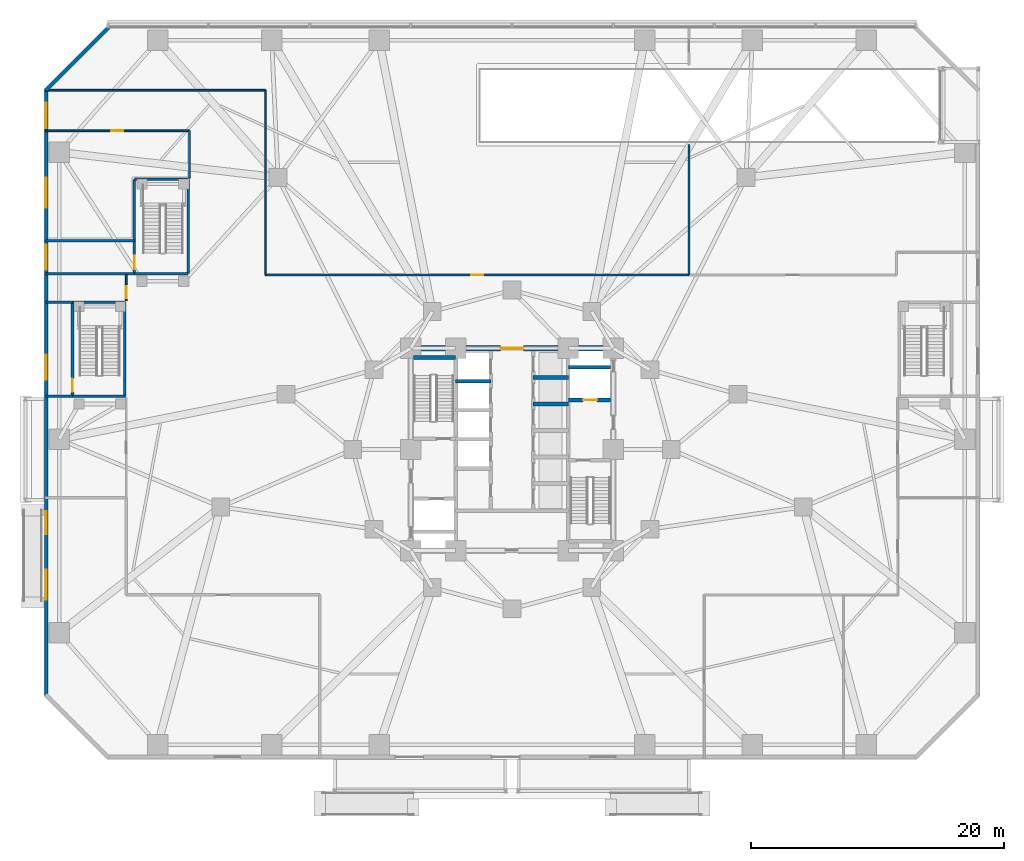
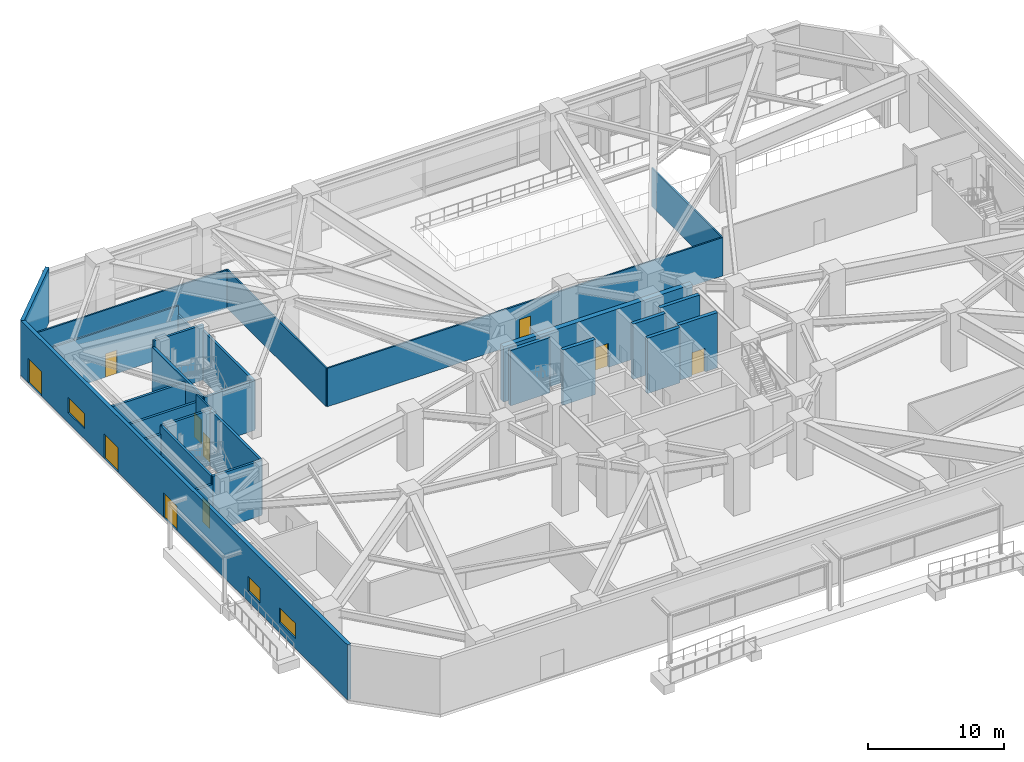
# One storey, part 19 of 30: 28 walls, 10 doors, 3 windows, 13 openings.
"""IFC4 building model written with IfcOpenShell, lengths in metres."""

from ifc_helpers import new_model, si_unit, direction, frame, frame_2d, origin, place, context, subcontext, project, spatial, rectangle, extrude, material, layer, layer_set, type_object, element, fill, save


model = new_model("IFC4")

# Units and contexts
model_context = context("Model", 3, precision=1e-05, world=origin(), true_north=direction((0.0, 1.0)))
body_context = subcontext(model_context, "Body", "Model", "MODEL_VIEW")
ifc_project = project(units=[si_unit("LENGTHUNIT", "METRE"), si_unit("AREAUNIT", "SQUARE_METRE"), si_unit("VOLUMEUNIT", "CUBIC_METRE"), si_unit("PLANEANGLEUNIT", "RADIAN"), si_unit("MASSUNIT", "GRAM", prefix="KILO")], contexts=[model_context])

# Site, building, storey
site_placement = place(None, origin())
site = spatial("IfcSite", under=ifc_project, at=site_placement, CompositionType="ELEMENT")
building_placement = place(site_placement, origin())
building = spatial("IfcBuilding", under=site, at=building_placement, Name="Terralouvre Media Tower", CompositionType="ELEMENT")
storey_placement = place(building_placement, origin())
storey = spatial("IfcBuildingStorey", under=building, at=storey_placement, Name="L00", CompositionType="ELEMENT", Elevation=0.0)

# Wall
ifc_material_1 = material(Name="Concrete C50/60", Category="concrete")
ifc_layer_1 = layer(ifc_material_1, 0.300048828125, Name="Core Internal Shaft Wall CW-300")
ifc_layer_set_1 = layer_set([ifc_layer_1], Name="Concrete C50/60")
wall_type_1 = type_object("IfcWallType", Name="Core Internal Shaft Wall CW-300", PredefinedType="SHEAR", material=ifc_layer_set_1)
wall_1_placement = place(storey_placement, frame((-7.7900390625, 7.260009765625, 0.0), z_axis=(0.0, 0.0, 1.0), x_axis=(1.0, 0.0, 0.0)))
element("IfcWall", 1, at=wall_1_placement, inside=storey, type_object=wall_type_1, Name="L00 Core Shaft Wall ST1F", PredefinedType="SHEAR", context=body_context, shape_type="SweptSolid", body=[
    extrude(rectangle(XDim=3.340087890625, YDim=0.300048828125, at=frame_2d((1.669921875, 0.0))), origin(), (0.0, 0.0, 1.0), 4.949951171875),
])

# Wall, opening, door
wall_2_placement = place(storey_placement, frame((4.449951171875, 3.89990234375, 0.0), z_axis=(0.0, 0.0, 1.0), x_axis=(1.0, 0.0, 0.0)))
wall_2 = element("IfcWall", 2, at=wall_2_placement, inside=storey, type_object=wall_type_1, Name="L00 Core Shaft Wall FF2S", PredefinedType="SHEAR", context=body_context, shape_type="SweptSolid", body=[
    extrude(rectangle(XDim=3.340087890625, YDim=0.300048828125, at=frame_2d((1.669921875, 0.0))), origin(), (0.0, 0.0, 1.0), 4.949951171875),
])
opening_1_placement = place(wall_2_placement, frame((1.179931640625, 0.0, 0.0)))
opening_1 = element("IfcOpeningElement", 3, at=opening_1_placement, cuts=wall_2, Name="Opening LD-FF", PredefinedType="OPENING", context=body_context, shape_type="SweptSolid", body=[
    extrude(rectangle(XDim=1.10009765625, YDim=2.10009765625, at=frame_2d((0.550048828125, 1.050048828125))), frame((0.0, 0.159912109375, 0.0), z_axis=(0.0, -1.0, 0.0), x_axis=(1.0, 0.0, 0.0)), (0.0, 0.0, 1.0), 0.320068359375),
])
ifc_material_2 = material(Name="Stainless steel 316 handrail and balustrade", Category="steel")
door_type_1 = type_object("IfcDoorType", Name="Firefighting Lift Sliding Landing Door LD-FF", OperationType="SLIDING_TO_LEFT", PredefinedType="DOOR", material=ifc_material_2)
door_1_placement = place(opening_1_placement, origin())
door_1 = element("IfcDoor", 4, at=door_1_placement, inside=storey, type_object=door_type_1, Name="L00 Firefighting Lift FFL-02 Landing Door", OperationType="SLIDING_TO_LEFT", OverallHeight=2.10009765625, OverallWidth=1.10009765625, PredefinedType="DOOR", context=body_context, shape_type="SweptSolid", body=[
    extrude(rectangle(XDim=1.10009765625, YDim=2.10009765625, at=frame_2d((0.550048828125, 1.050048828125))), frame((0.0, 0.02490234375, 0.0), z_axis=(0.0, -1.0, 0.0), x_axis=(1.0, 0.0, 0.0)), (0.0, 0.0, 1.0), 0.050048828125),
])
fill(opening_1, door_1)

# Walls
wall_3_placement = place(storey_placement, frame((4.449951171875, 6.5, 0.0), z_axis=(0.0, 0.0, 1.0), x_axis=(1.0, 0.0, 0.0)))
element("IfcWall", 5, at=wall_3_placement, inside=storey, type_object=wall_type_1, Name="L00 Core Shaft Wall FF2N", PredefinedType="SHEAR", context=body_context, shape_type="SweptSolid", body=[
    extrude(rectangle(XDim=3.340087890625, YDim=0.300048828125, at=frame_2d((1.669921875, 0.0))), origin(), (0.0, 0.0, 1.0), 4.949951171875),
])
for number, where, z_axis, x_axis, name in (
    (6, (-4.449951171875, 5.39990234375, 0.0), (0.0, 0.0, 1.0), (1.0, 0.0, 0.0), "L00 Core Shaft Wall PLLD3"),
    (7, (1.679931640625, 3.60009765625, 0.0), (0.0, 0.0, 1.0), (1.0, 0.0, 0.0), "L00 Core Shaft Wall PLMD1"),
    (8, (1.679931640625, 5.699951171875, 0.0), (0.0, 0.0, 1.0), (1.0, 0.0, 0.0), "L00 Core Shaft Wall PLMD2"),
):
    element("IfcWall", number, at=place(storey_placement, frame(where, z_axis=z_axis, x_axis=x_axis)), inside=storey, type_object=wall_type_1, Name=name, PredefinedType="SHEAR", context=body_context, shape_type="SweptSolid", body=[
        extrude(rectangle(XDim=2.77001953125, YDim=0.300048828125, at=frame_2d((1.385009765625, 0.0))), origin(), (0.0, 0.0, 1.0), 4.949951171875),
    ])

# Wall, opening, door
ifc_material_3 = material(Name="Concrete C60/75", Category="concrete")
ifc_layer_2 = layer(ifc_material_3, 0.419921875, Name="Core Reinforced Concrete Shear Wall CW-420")
ifc_layer_set_2 = layer_set([ifc_layer_2], Name="Concrete C60/75")
wall_type_2 = type_object("IfcWallType", Name="Core Reinforced Concrete Shear Wall CW-420", PredefinedType="SHEAR", material=ifc_layer_set_2)
wall_4_placement = place(storey_placement, frame((-8.0, 8.0, 0.0), z_axis=(0.0, 0.0, 1.0), x_axis=(1.0, 0.0, 0.0)))
wall_4 = element("IfcWall", 9, at=wall_4_placement, inside=storey, type_object=wall_type_2, Name="L00 N Core Shear Wall", PredefinedType="SHEAR", context=body_context, shape_type="SweptSolid", body=[
    extrude(rectangle(XDim=16.0, YDim=0.419921875, at=frame_2d((8.0, 0.0))), origin(), (0.0, 0.0, 1.0), 4.949951171875),
])
opening_2_placement = place(wall_4_placement, frame((7.10009765625, 0.0, 0.0)))
opening_2 = element("IfcOpeningElement", 10, at=opening_2_placement, cuts=wall_4, Name="Opening FD-03", PredefinedType="OPENING", context=body_context, shape_type="SweptSolid", body=[
    extrude(rectangle(XDim=1.800048828125, YDim=2.14990234375, at=frame_2d((0.89990234375, 1.074951171875))), frame((0.0, 0.219970703125, 0.0), z_axis=(0.0, -1.0, 0.0), x_axis=(1.0, 0.0, 0.0)), (0.0, 0.0, 1.0), 0.43994140625),
])
ifc_material_4 = material(Name="Galvanised steel fire-resisting leaf", Category="steel")
door_type_2 = type_object("IfcDoorType", Name="Corridor Smoke-Control Double Door FD-03", OperationType="DOUBLE_DOOR_SINGLE_SWING", PredefinedType="DOOR", material=ifc_material_4)
door_2_placement = place(opening_2_placement, origin())
door_2 = element("IfcDoor", 11, at=door_2_placement, inside=storey, type_object=door_type_2, Name="L00 Central Lift Lobby Portal Door", OperationType="DOUBLE_DOOR_SINGLE_SWING", OverallHeight=2.14990234375, OverallWidth=1.800048828125, PredefinedType="DOOR", context=body_context, shape_type="SweptSolid", body=[
    extrude(rectangle(XDim=1.800048828125, YDim=2.14990234375, at=frame_2d((0.89990234375, 1.074951171875))), frame((0.0, 0.02490234375, 0.0), z_axis=(0.0, -1.0, 0.0), x_axis=(1.0, 0.0, 0.0)), (0.0, 0.0, 1.0), 0.050048828125),
])
fill(opening_2, door_2)

# Walls
ifc_material_5 = material(Name="Fire-rated gypsum board drywall partition")
ifc_layer_3 = layer(ifc_material_5, 0.199951171875, Name="Fire-Rated Shaft and Lobby Partition FW-200")
ifc_layer_set_3 = layer_set([ifc_layer_3], Name="Fire-rated gypsum board drywall partition")
wall_type_3 = type_object("IfcWallType", Name="Fire-Rated Shaft and Lobby Partition FW-200", PredefinedType="SOLIDWALL", material=ifc_layer_set_3)
wall_5_placement = place(storey_placement, frame((-34.75, 4.199951171875, 0.0), z_axis=(0.0, 0.0, 1.0), x_axis=(1.0, 0.0, 0.0)))
element("IfcWall", 12, at=wall_5_placement, inside=storey, type_object=wall_type_3, Name="L00 ST03 Stair Shaft Wall S", PredefinedType="SOLIDWALL", context=body_context, shape_type="SweptSolid", body=[
    extrude(rectangle(XDim=4.14990234375, YDim=0.199951171875, at=frame_2d((2.074951171875, 0.0))), origin(), (0.0, 0.0, 1.0), 4.949951171875),
])
wall_6_placement = place(storey_placement, frame((-30.60009765625, 4.199951171875, 0.0), z_axis=(0.0, 0.0, 1.0), x_axis=(0.0, 1.0, 0.0)))
element("IfcWall", 13, at=wall_6_placement, inside=storey, type_object=wall_type_3, Name="L00 ST03 Stair Shaft Wall E", PredefinedType="SOLIDWALL", context=body_context, shape_type="SweptSolid", body=[
    extrude(rectangle(XDim=7.449951171875, YDim=0.199951171875, at=frame_2d((3.72509765625, 0.0))), origin(), (0.0, 0.0, 1.0), 4.949951171875),
])
wall_7_placement = place(storey_placement, frame((-30.60009765625, 11.64990234375, 0.0), z_axis=(0.0, 0.0, 1.0), x_axis=(-1.0, 0.0, 0.0)))
element("IfcWall", 14, at=wall_7_placement, inside=storey, type_object=wall_type_3, Name="L00 ST03 Stair Shaft Wall N", PredefinedType="SOLIDWALL", context=body_context, shape_type="SweptSolid", body=[
    extrude(rectangle(XDim=4.14990234375, YDim=0.199951171875, at=frame_2d((2.074951171875, 0.0))), origin(), (0.0, 0.0, 1.0), 4.949951171875),
])

# Wall, opening, door
wall_8_placement = place(storey_placement, frame((-34.75, 11.64990234375, 0.0), z_axis=(0.0, 0.0, 1.0), x_axis=(0.0, -1.0, 0.0)))
wall_8 = element("IfcWall", 15, at=wall_8_placement, inside=storey, type_object=wall_type_3, Name="L00 ST03 Stair Shaft Wall W", PredefinedType="SOLIDWALL", context=body_context, shape_type="SweptSolid", body=[
    extrude(rectangle(XDim=7.449951171875, YDim=0.199951171875, at=frame_2d((3.72509765625, 0.0))), origin(), (0.0, 0.0, 1.0), 4.949951171875),
])
opening_3_placement = place(wall_8_placement, frame((6.0400390625, 0.0, 0.0)))
opening_3 = element("IfcOpeningElement", 16, at=opening_3_placement, cuts=wall_8, Name="Opening FD-01-105X215", PredefinedType="OPENING", context=body_context, shape_type="SweptSolid", body=[
    extrude(rectangle(XDim=1.050048828125, YDim=2.14990234375, at=frame_2d((0.52490234375, 1.074951171875))), frame((0.0, 0.10986328125, 0.0), z_axis=(0.0, -1.0, 0.0), x_axis=(1.0, 0.0, 0.0)), (0.0, 0.0, 1.0), 0.219970703125),
])
ifc_material_6 = material(Name="Galvanised steel fire-resisting leaf", Category="steel")
door_type_3 = type_object("IfcDoorType", Name="Stair and Firefighting Lobby Fire Door FD-01 (1050x2150)", OperationType="NOTDEFINED", PredefinedType="DOOR", material=ifc_material_6)
door_3_placement = place(opening_3_placement, origin())
door_3 = element("IfcDoor", 17, at=door_3_placement, inside=storey, type_object=door_type_3, Name="L00 ST03 Pressurised Stair Door", OperationType="SINGLE_SWING_LEFT", OverallHeight=2.14990234375, OverallWidth=1.050048828125, PredefinedType="DOOR", context=body_context, shape_type="SweptSolid", body=[
    extrude(rectangle(XDim=1.050048828125, YDim=2.14990234375, at=frame_2d((0.52490234375, 1.074951171875))), frame((0.0, 0.02490234375, 0.0), z_axis=(0.0, -1.0, 0.0), x_axis=(1.0, 0.0, 0.0)), (0.0, 0.0, 1.0), 0.050048828125),
])
fill(opening_3, door_3)

# Walls
wall_9_placement = place(storey_placement, frame((-29.85009765625, 13.89990234375, 0.0), z_axis=(0.0, 0.0, 1.0), x_axis=(1.0, 0.0, 0.0)))
element("IfcWall", 18, at=wall_9_placement, inside=storey, type_object=wall_type_3, Name="L00 ST06 Stair Shaft Wall S", PredefinedType="SOLIDWALL", context=body_context, shape_type="SweptSolid", body=[
    extrude(rectangle(XDim=4.25, YDim=0.199951171875, at=frame_2d((2.125, 0.0))), origin(), (0.0, 0.0, 1.0), 4.43505859375),
])
wall_10_placement = place(storey_placement, frame((-25.60009765625, 13.89990234375, 0.0), z_axis=(0.0, 0.0, 1.0), x_axis=(0.0, 1.0, 0.0)))
element("IfcWall", 19, at=wall_10_placement, inside=storey, type_object=wall_type_3, Name="L00 ST06 Stair Shaft Wall E", PredefinedType="SOLIDWALL", context=body_context, shape_type="SweptSolid", body=[
    extrude(rectangle(XDim=7.4501953125, YDim=0.199951171875, at=frame_2d((3.72509765625, 0.0))), origin(), (0.0, 0.0, 1.0), 4.43505859375),
])
wall_11_placement = place(storey_placement, frame((-25.60009765625, 21.35009765625, 0.0), z_axis=(0.0, 0.0, 1.0), x_axis=(-1.0, 0.0, 0.0)))
element("IfcWall", 20, at=wall_11_placement, inside=storey, type_object=wall_type_3, Name="L00 ST06 Stair Shaft Wall N", PredefinedType="SOLIDWALL", context=body_context, shape_type="SweptSolid", body=[
    extrude(rectangle(XDim=4.25, YDim=0.199951171875, at=frame_2d((2.125, 0.0))), origin(), (0.0, 0.0, 1.0), 4.949951171875),
])

# Wall, opening, door
wall_12_placement = place(storey_placement, frame((-29.85009765625, 21.35009765625, 0.0), z_axis=(0.0, 0.0, 1.0), x_axis=(0.0, -1.0, 0.0)))
wall_12 = element("IfcWall", 21, at=wall_12_placement, inside=storey, type_object=wall_type_3, Name="L00 ST06 Stair Shaft Wall W", PredefinedType="SOLIDWALL", context=body_context, shape_type="SweptSolid", body=[
    extrude(rectangle(XDim=7.4501953125, YDim=0.199951171875, at=frame_2d((3.72509765625, 0.0))), origin(), (0.0, 0.0, 1.0), 4.43505859375),
])
opening_4_placement = place(wall_12_placement, frame((6.0400390625, 0.0, 0.0)))
opening_4 = element("IfcOpeningElement", 22, at=opening_4_placement, cuts=wall_12, Name="Opening FD-01-105X215", PredefinedType="OPENING", context=body_context, shape_type="SweptSolid", body=[
    extrude(rectangle(XDim=1.050048828125, YDim=2.14990234375, at=frame_2d((0.52490234375, 1.074951171875))), frame((0.0, 0.10986328125, 0.0), z_axis=(0.0, -1.0, 0.0), x_axis=(1.0, 0.0, 0.0)), (0.0, 0.0, 1.0), 0.219970703125),
])
door_4_placement = place(opening_4_placement, origin())
door_4 = element("IfcDoor", 23, at=door_4_placement, inside=storey, type_object=door_type_3, Name="L00 ST06 Pressurised Stair Door", OperationType="SINGLE_SWING_LEFT", OverallHeight=2.14990234375, OverallWidth=1.050048828125, PredefinedType="DOOR", context=body_context, shape_type="SweptSolid", body=[
    extrude(rectangle(XDim=1.050048828125, YDim=2.14990234375, at=frame_2d((0.52490234375, 1.074951171875))), frame((0.0, 0.02490234375, 0.0), z_axis=(0.0, -1.0, 0.0), x_axis=(1.0, 0.0, 0.0)), (0.0, 0.0, 1.0), 0.050048828125),
])
fill(opening_4, door_4)

# Walls
for number, where, z_axis, x_axis, name in (
    (24, (-36.824951171875, 4.199951171875, 0.0), (0.0, 0.0, 1.0), (1.0, 0.0, 0.0), "L00 West Stair Exit Passageway South Wall"),
    (25, (-34.75, 11.64990234375, 0.0), (0.0, 0.0, 1.0), (-1.0, 0.0, 0.0), "L00 West Stair Exit Passageway North Wall"),
):
    element("IfcWall", number, at=place(storey_placement, frame(where, z_axis=z_axis, x_axis=x_axis)), inside=storey, type_object=wall_type_3, Name=name, PredefinedType="SOLIDWALL", context=body_context, shape_type="SweptSolid", body=[
        extrude(rectangle(XDim=2.074951171875, YDim=0.199951171875, at=frame_2d((1.03759765625, 0.0))), origin(), (0.0, 0.0, 1.0), 4.235107421875),
    ])
for number, where, z_axis, x_axis, name in (
    (26, (-36.824951171875, 13.89990234375, 0.0), (0.0, 0.0, 1.0), (1.0, 0.0, 0.0), "L00 North-West Stair Exit Passageway South Wall"),
    (27, (-29.85009765625, 16.5, 0.0), (0.0, 0.0, 1.0), (-1.0, 0.0, 0.0), "L00 North-West Stair Exit Passageway North Wall"),
):
    element("IfcWall", number, at=place(storey_placement, frame(where, z_axis=z_axis, x_axis=x_axis)), inside=storey, type_object=wall_type_3, Name=name, PredefinedType="SOLIDWALL", context=body_context, shape_type="SweptSolid", body=[
        extrude(rectangle(XDim=6.974853515625, YDim=0.199951171875, at=frame_2d((3.4873046875, 0.0))), origin(), (0.0, 0.0, 1.0), 4.235107421875),
    ])

# Wall, opening, door
ifc_material_7 = material(Name="Fire-rated gypsum board drywall partition")
ifc_layer_4 = layer(ifc_material_7, 0.135009765625, Name="Newsroom Acoustic Partition PT-135")
ifc_layer_set_4 = layer_set([ifc_layer_4], Name="Fire-rated gypsum board drywall partition")
wall_type_4 = type_object("IfcWallType", Name="Newsroom Acoustic Partition PT-135", PredefinedType="PARTITIONING", material=ifc_layer_set_4)
wall_13_placement = place(storey_placement, frame((14.0, 13.800048828125, 0.0), z_axis=(0.0, 0.0, 1.0), x_axis=(-1.0, 0.0, 0.0)))
wall_13 = element("IfcWall", 28, at=wall_13_placement, inside=storey, type_object=wall_type_4, Name="L00 Interior Partition 012", PredefinedType="PARTITIONING", context=body_context, shape_type="SweptSolid", body=[
    extrude(rectangle(XDim=33.5, YDim=0.135009765625, at=frame_2d((16.75, 0.0))), origin(), (0.0, 0.0, 1.0), 3.43505859375),
])
opening_5_placement = place(wall_13_placement, frame((16.27490234375, 0.0, 0.0)))
opening_5 = element("IfcOpeningElement", 29, at=opening_5_placement, cuts=wall_13, Name="Opening ID-02-95X210", PredefinedType="OPENING", context=body_context, shape_type="SweptSolid", body=[
    extrude(rectangle(XDim=0.949951171875, YDim=2.10009765625, at=frame_2d((0.47509765625, 1.050048828125))), frame((0.0, 0.077392578125, 0.0), z_axis=(0.0, -1.0, 0.0), x_axis=(1.0, 0.0, 0.0)), (0.0, 0.0, 1.0), 0.155029296875),
])
ifc_material_8 = material(Name="Engineered hardwood acoustic timber leaf", Category="wood")
door_type_4 = type_object("IfcDoorType", Name="Office and Meeting Room Door ID-02 (950x2100)", OperationType="NOTDEFINED", PredefinedType="DOOR", material=ifc_material_8)
door_5_placement = place(opening_5_placement, origin())
door_5 = element("IfcDoor", 30, at=door_5_placement, inside=storey, type_object=door_type_4, Name="L00 Media Heritage Exhibition Hall Door", OperationType="SINGLE_SWING_LEFT", OverallHeight=2.10009765625, OverallWidth=0.949951171875, PredefinedType="DOOR", context=body_context, shape_type="SweptSolid", body=[
    extrude(rectangle(XDim=0.949951171875, YDim=2.10009765625, at=frame_2d((0.47509765625, 1.050048828125))), frame((0.0, 0.02490234375, 0.0), z_axis=(0.0, -1.0, 0.0), x_axis=(1.0, 0.0, 0.0)), (0.0, 0.0, 1.0), 0.050048828125),
])
fill(opening_5, door_5)

# Walls
wall_14_placement = place(storey_placement, frame((-19.5, 13.800048828125, 0.0), z_axis=(0.0, 0.0, 1.0), x_axis=(0.0, 1.0, 0.0)))
element("IfcWall", 31, at=wall_14_placement, inside=storey, type_object=wall_type_4, Name="L00 Interior Partition 013", PredefinedType="PARTITIONING", context=body_context, shape_type="SweptSolid", body=[
    extrude(rectangle(XDim=14.599853515625, YDim=0.135009765625, at=frame_2d((7.2998046875, 0.0))), origin(), (0.0, 0.0, 1.0), 3.43505859375),
])
wall_15_placement = place(storey_placement, frame((-19.5, 28.39990234375, 0.0), z_axis=(0.0, 0.0, 1.0), x_axis=(-1.0, 0.0, 0.0)))
element("IfcWall", 32, at=wall_15_placement, inside=storey, type_object=wall_type_4, Name="L00 Interior Partition 014", PredefinedType="PARTITIONING", context=body_context, shape_type="SweptSolid", body=[
    extrude(rectangle(XDim=17.419921875, YDim=0.135009765625, at=frame_2d((8.7099609375, 0.0))), origin(), (0.0, 0.0, 1.0), 3.43505859375),
])

# Wall, opening, door
wall_16_placement = place(storey_placement, frame((-36.919921875, 25.199951171875, 0.0), z_axis=(0.0, 0.0, 1.0), x_axis=(1.0, 0.0, 0.0)))
wall_16 = element("IfcWall", 33, at=wall_16_placement, inside=storey, type_object=wall_type_4, Name="L00 Interior Partition 015", PredefinedType="PARTITIONING", context=body_context, shape_type="SweptSolid", body=[
    extrude(rectangle(XDim=11.419921875, YDim=0.135009765625, at=frame_2d((5.7099609375, 0.0))), origin(), (0.0, 0.0, 1.0), 4.235107421875),
])
opening_6_placement = place(wall_16_placement, frame((5.235107421875, 0.0, 0.0)))
opening_6 = element("IfcOpeningElement", 34, at=opening_6_placement, cuts=wall_16, Name="Opening ID-02-95X210", PredefinedType="OPENING", context=body_context, shape_type="SweptSolid", body=[
    extrude(rectangle(XDim=0.949951171875, YDim=2.10009765625, at=frame_2d((0.47509765625, 1.050048828125))), frame((0.0, 0.077392578125, 0.0), z_axis=(0.0, -1.0, 0.0), x_axis=(1.0, 0.0, 0.0)), (0.0, 0.0, 1.0), 0.155029296875),
])
door_6_placement = place(opening_6_placement, origin())
door_6 = element("IfcDoor", 35, at=door_6_placement, inside=storey, type_object=door_type_4, Name="L00 Media Heritage Exhibition Hall Door", OperationType="SINGLE_SWING_RIGHT", OverallHeight=2.10009765625, OverallWidth=0.949951171875, PredefinedType="DOOR", context=body_context, shape_type="SweptSolid", body=[
    extrude(rectangle(XDim=0.949951171875, YDim=2.10009765625, at=frame_2d((0.47509765625, 1.050048828125))), frame((0.0, 0.02490234375, 0.0), z_axis=(0.0, -1.0, 0.0), x_axis=(1.0, 0.0, 0.0)), (0.0, 0.0, 1.0), 0.050048828125),
])
fill(opening_6, door_6)

# Wall
wall_17_placement = place(storey_placement, frame((-25.5, 25.199951171875, 0.0), z_axis=(0.0, 0.0, 1.0), x_axis=(0.0, -1.0, 0.0)))
element("IfcWall", 36, at=wall_17_placement, inside=storey, type_object=wall_type_4, Name="L00 Interior Partition 016", PredefinedType="PARTITIONING", context=body_context, shape_type="SweptSolid", body=[
    extrude(rectangle(XDim=3.75, YDim=0.135009765625, at=frame_2d((1.875, 0.0))), origin(), (0.0, 0.0, 1.0), 3.43505859375),
])

# Wall, opening, door
wall_18_placement = place(storey_placement, frame((-30.5, 13.800048828125, 0.0), z_axis=(0.0, 0.0, 1.0), x_axis=(0.0, -1.0, 0.0)))
wall_18 = element("IfcWall", 37, at=wall_18_placement, inside=storey, type_object=wall_type_4, Name="L00 Interior Partition 017", PredefinedType="PARTITIONING", context=body_context, shape_type="SweptSolid", body=[
    extrude(rectangle(XDim=2.050048828125, YDim=0.135009765625, at=frame_2d((1.02490234375, 0.0))), origin(), (0.0, 0.0, 1.0), 4.949951171875),
])
opening_7_placement = place(wall_18_placement, frame((0.89990234375, 0.0, 0.0)))
opening_7 = element("IfcOpeningElement", 38, at=opening_7_placement, cuts=wall_18, Name="Opening ID-02-95X210", PredefinedType="OPENING", context=body_context, shape_type="SweptSolid", body=[
    extrude(rectangle(XDim=0.949951171875, YDim=2.10009765625, at=frame_2d((0.47509765625, 1.050048828125))), frame((0.0, 0.077392578125, 0.0), z_axis=(0.0, -1.0, 0.0), x_axis=(1.0, 0.0, 0.0)), (0.0, 0.0, 1.0), 0.155029296875),
])
door_7_placement = place(opening_7_placement, origin())
door_7 = element("IfcDoor", 39, at=door_7_placement, inside=storey, type_object=door_type_4, Name="L00 Broadcast Staging Store 10 Door", OperationType="SINGLE_SWING_LEFT", OverallHeight=2.10009765625, OverallWidth=0.949951171875, PredefinedType="DOOR", context=body_context, shape_type="SweptSolid", body=[
    extrude(rectangle(XDim=0.949951171875, YDim=2.10009765625, at=frame_2d((0.47509765625, 1.050048828125))), frame((0.0, 0.02490234375, 0.0), z_axis=(0.0, -1.0, 0.0), x_axis=(1.0, 0.0, 0.0)), (0.0, 0.0, 1.0), 0.050048828125),
])
fill(opening_7, door_7)

# Walls
wall_19_placement = place(storey_placement, frame((14.0, 24.10009765625, 0.0), z_axis=(0.0, 0.0, 1.0), x_axis=(0.0, -1.0, 0.0)))
element("IfcWall", 40, at=wall_19_placement, inside=storey, type_object=wall_type_4, Name="L00 Interior Partition 022", PredefinedType="PARTITIONING", context=body_context, shape_type="SweptSolid", body=[
    extrude(rectangle(XDim=10.300048828125, YDim=0.135009765625, at=frame_2d((5.14990234375, 0.0))), origin(), (0.0, 0.0, 1.0), 3.43505859375),
])
ifc_material_9 = material(Name="Kiln-fired architectural terracotta rainscreen cladding", Category="masonry")
ifc_layer_5 = layer(ifc_material_9, 0.300048828125, Name="Podium Acoustic Terracotta Cladding Wall EW-TC300")
ifc_layer_set_5 = layer_set([ifc_layer_5], Name="Kiln-fired architectural terracotta rainscreen cladding")
wall_type_5 = type_object("IfcWallType", Name="Podium Acoustic Terracotta Cladding Wall EW-TC300", PredefinedType="SOLIDWALL", material=ifc_layer_set_5)
wall_20_placement = place(storey_placement, frame((-31.876220703125, 33.376220703125, 0.0), z_axis=(0.0, 0.0, 1.0), x_axis=(-0.707106781187, -0.707106781187, 0.0)))
element("IfcWall", 41, at=wall_20_placement, inside=storey, type_object=wall_type_5, Name="L00 Podium Terracotta Wall F5", PredefinedType="SOLIDWALL", context=body_context, shape_type="SweptSolid", body=[
    extrude(rectangle(XDim=7.071044921875, YDim=0.300048828125, at=frame_2d((3.53564453125, 0.0))), origin(), (0.0, 0.0, 1.0), 4.949951171875),
])

# Wall, openings, doors, windows
wall_21_placement = place(storey_placement, frame((-36.824951171875, 28.5, 0.0), z_axis=(0.0, 0.0, 1.0), x_axis=(0.0, -1.0, 0.0)))
wall_21 = element("IfcWall", 42, at=wall_21_placement, inside=storey, type_object=wall_type_5, Name="L00 Podium Terracotta Wall F6", PredefinedType="SOLIDWALL", context=body_context, shape_type="SweptSolid", body=[
    extrude(rectangle(XDim=48.0, YDim=0.300048828125, at=frame_2d((24.0, 0.0))), origin(), (0.0, 0.0, 1.0), 4.949951171875),
])
opening_8_placement = place(wall_21_placement, frame((1.10009765625, 0.0, 0.0)))
opening_8 = element("IfcOpeningElement", 43, at=opening_8_placement, cuts=wall_21, Name="Opening ED-02", PredefinedType="OPENING", context=body_context, shape_type="SweptSolid", body=[
    extrude(rectangle(XDim=2.0, YDim=2.199951171875, at=frame_2d((1.0, 1.10009765625))), frame((0.0, 0.159912109375, 0.0), z_axis=(0.0, -1.0, 0.0), x_axis=(1.0, 0.0, 0.0)), (0.0, 0.0, 1.0), 0.320068359375),
])
opening_9_placement = place(wall_21_placement, frame((12.300048828125, 0.0, 0.0)))
opening_9 = element("IfcOpeningElement", 44, at=opening_9_placement, cuts=wall_21, Name="Opening ED-02", PredefinedType="OPENING", context=body_context, shape_type="SweptSolid", body=[
    extrude(rectangle(XDim=2.0, YDim=2.199951171875, at=frame_2d((1.0, 1.10009765625))), frame((0.0, 0.159912109375, 0.0), z_axis=(0.0, -1.0, 0.0), x_axis=(1.0, 0.0, 0.0)), (0.0, 0.0, 1.0), 0.320068359375),
])
opening_10_placement = place(wall_21_placement, frame((21.0, 0.0, 0.0)))
opening_10 = element("IfcOpeningElement", 45, at=opening_10_placement, cuts=wall_21, Name="Opening ED-02", PredefinedType="OPENING", context=body_context, shape_type="SweptSolid", body=[
    extrude(rectangle(XDim=2.0, YDim=2.199951171875, at=frame_2d((1.0, 1.10009765625))), frame((0.0, 0.159912109375, 0.0), z_axis=(0.0, -1.0, 0.0), x_axis=(1.0, 0.0, 0.0)), (0.0, 0.0, 1.0), 0.320068359375),
])
opening_11_placement = place(wall_21_placement, frame((7.0, 0.0, 0.89990234375)))
opening_11 = element("IfcOpeningElement", 46, at=opening_11_placement, cuts=wall_21, Name="Opening W-01", PredefinedType="OPENING", context=body_context, shape_type="SweptSolid", body=[
    extrude(rectangle(XDim=2.39990234375, YDim=1.35009765625, at=frame_2d((1.199951171875, 0.675048828125))), frame((0.0, 0.159912109375, 0.0), z_axis=(0.0, -1.0, 0.0), x_axis=(1.0, 0.0, 0.0)), (0.0, 0.0, 1.0), 0.320068359375),
])
opening_12_placement = place(wall_21_placement, frame((33.39990234375, 0.0, 0.89990234375)))
opening_12 = element("IfcOpeningElement", 47, at=opening_12_placement, cuts=wall_21, Name="Opening W-02", PredefinedType="OPENING", context=body_context, shape_type="SweptSolid", body=[
    extrude(rectangle(XDim=1.800048828125, YDim=1.35009765625, at=frame_2d((0.89990234375, 0.675048828125))), frame((0.0, 0.159912109375, 0.0), z_axis=(0.0, -1.0, 0.0), x_axis=(1.0, 0.0, 0.0)), (0.0, 0.0, 1.0), 0.320068359375),
])
opening_13_placement = place(wall_21_placement, frame((38.0, 0.0, 0.89990234375)))
opening_13 = element("IfcOpeningElement", 48, at=opening_13_placement, cuts=wall_21, Name="Opening W-01", PredefinedType="OPENING", context=body_context, shape_type="SweptSolid", body=[
    extrude(rectangle(XDim=2.39990234375, YDim=1.35009765625, at=frame_2d((1.199951171875, 0.675048828125))), frame((0.0, 0.159912109375, 0.0), z_axis=(0.0, -1.0, 0.0), x_axis=(1.0, 0.0, 0.0)), (0.0, 0.0, 1.0), 0.320068359375),
])
ifc_material_10 = material(Name="Galvanised steel sheet and fire-rated mineral core", Category="steel")
door_type_5 = type_object("IfcDoorType", Name="Ground Final Exit Double Door ED-02", OperationType="DOUBLE_DOOR_SINGLE_SWING", PredefinedType="DOOR", material=ifc_material_10)
door_8_placement = place(opening_8_placement, frame((2.0, 0.0, 0.0), z_axis=(0.0, 0.0, 1.0), x_axis=(-1.0, 0.0, 0.0)))
door_8 = element("IfcDoor", 49, at=door_8_placement, inside=storey, type_object=door_type_5, Name="L00 West Final Exit Door", OperationType="DOUBLE_DOOR_SINGLE_SWING", OverallHeight=2.199951171875, OverallWidth=2.0, PredefinedType="DOOR", context=body_context, shape_type="SweptSolid", body=[
    extrude(rectangle(XDim=2.0, YDim=2.199951171875, at=frame_2d((1.0, 1.10009765625))), frame((0.0, 0.02490234375, 0.0), z_axis=(0.0, -1.0, 0.0), x_axis=(1.0, 0.0, 0.0)), (0.0, 0.0, 1.0), 0.050048828125),
])
fill(opening_8, door_8)
door_9_placement = place(opening_9_placement, frame((2.0, 0.0, 0.0), z_axis=(0.0, 0.0, 1.0), x_axis=(-1.0, 0.0, 0.0)))
door_9 = element("IfcDoor", 50, at=door_9_placement, inside=storey, type_object=door_type_5, Name="L00 North-West Stair ST-06 Direct Final Exit Door", OperationType="DOUBLE_DOOR_SINGLE_SWING", OverallHeight=2.199951171875, OverallWidth=2.0, PredefinedType="DOOR", context=body_context, shape_type="SweptSolid", body=[
    extrude(rectangle(XDim=2.0, YDim=2.199951171875, at=frame_2d((1.0, 1.10009765625))), frame((0.0, 0.02490234375, 0.0), z_axis=(0.0, -1.0, 0.0), x_axis=(1.0, 0.0, 0.0)), (0.0, 0.0, 1.0), 0.050048828125),
])
fill(opening_9, door_9)
door_10_placement = place(opening_10_placement, frame((2.0, 0.0, 0.0), z_axis=(0.0, 0.0, 1.0), x_axis=(-1.0, 0.0, 0.0)))
door_10 = element("IfcDoor", 51, at=door_10_placement, inside=storey, type_object=door_type_5, Name="L00 West Stair ST-03 Direct Final Exit Door", OperationType="DOUBLE_DOOR_SINGLE_SWING", OverallHeight=2.199951171875, OverallWidth=2.0, PredefinedType="DOOR", context=body_context, shape_type="SweptSolid", body=[
    extrude(rectangle(XDim=2.0, YDim=2.199951171875, at=frame_2d((1.0, 1.10009765625))), frame((0.0, 0.02490234375, 0.0), z_axis=(0.0, -1.0, 0.0), x_axis=(1.0, 0.0, 0.0)), (0.0, 0.0, 1.0), 0.050048828125),
])
fill(opening_10, door_10)
ifc_material_11 = material(Name="Low-iron laminated double glazing with solar-control coating", Category="glass")
window_type_1 = type_object("IfcWindowType", Name="Podium Acoustic Studio Window W-01", PartitioningType="SINGLE_PANEL", PredefinedType="WINDOW", material=ifc_material_11)
window_1_placement = place(opening_11_placement, origin())
window_1 = element("IfcWindow", 52, at=window_1_placement, inside=storey, type_object=window_type_1, Name="L00 Podium Window WIN-L00-F6-1", OverallHeight=1.35009765625, OverallWidth=2.39990234375, PartitioningType="SINGLE_PANEL", PredefinedType="WINDOW", context=body_context, shape_type="SweptSolid", body=[
    extrude(rectangle(XDim=2.39990234375, YDim=1.35009765625, at=frame_2d((1.199951171875, 0.675048828125))), frame((0.0, 0.030029296875, 0.0), z_axis=(0.0, -1.0, 0.0), x_axis=(1.0, 0.0, 0.0)), (0.0, 0.0, 1.0), 0.06005859375),
])
fill(opening_11, window_1)
window_2_placement = place(opening_13_placement, origin())
window_2 = element("IfcWindow", 53, at=window_2_placement, inside=storey, type_object=window_type_1, Name="L00 Podium Window WIN-L00-F6-3", OverallHeight=1.35009765625, OverallWidth=2.39990234375, PartitioningType="SINGLE_PANEL", PredefinedType="WINDOW", context=body_context, shape_type="SweptSolid", body=[
    extrude(rectangle(XDim=2.39990234375, YDim=1.35009765625, at=frame_2d((1.199951171875, 0.675048828125))), frame((0.0, 0.030029296875, 0.0), z_axis=(0.0, -1.0, 0.0), x_axis=(1.0, 0.0, 0.0)), (0.0, 0.0, 1.0), 0.06005859375),
])
fill(opening_13, window_2)
ifc_material_12 = material(Name="Low-iron laminated double glazing with solar-control coating", Category="glass")
window_type_2 = type_object("IfcWindowType", Name="Podium Press Office Window W-02", PartitioningType="SINGLE_PANEL", PredefinedType="WINDOW", material=ifc_material_12)
window_3_placement = place(opening_12_placement, origin())
window_3 = element("IfcWindow", 54, at=window_3_placement, inside=storey, type_object=window_type_2, Name="L00 Podium Window WIN-L00-F6-2", OverallHeight=1.35009765625, OverallWidth=1.800048828125, PartitioningType="SINGLE_PANEL", PredefinedType="WINDOW", context=body_context, shape_type="SweptSolid", body=[
    extrude(rectangle(XDim=1.800048828125, YDim=1.35009765625, at=frame_2d((0.89990234375, 0.675048828125))), frame((0.0, 0.030029296875, 0.0), z_axis=(0.0, -1.0, 0.0), x_axis=(1.0, 0.0, 0.0)), (0.0, 0.0, 1.0), 0.06005859375),
])
fill(opening_12, window_3)

save(model, "model.ifc")
